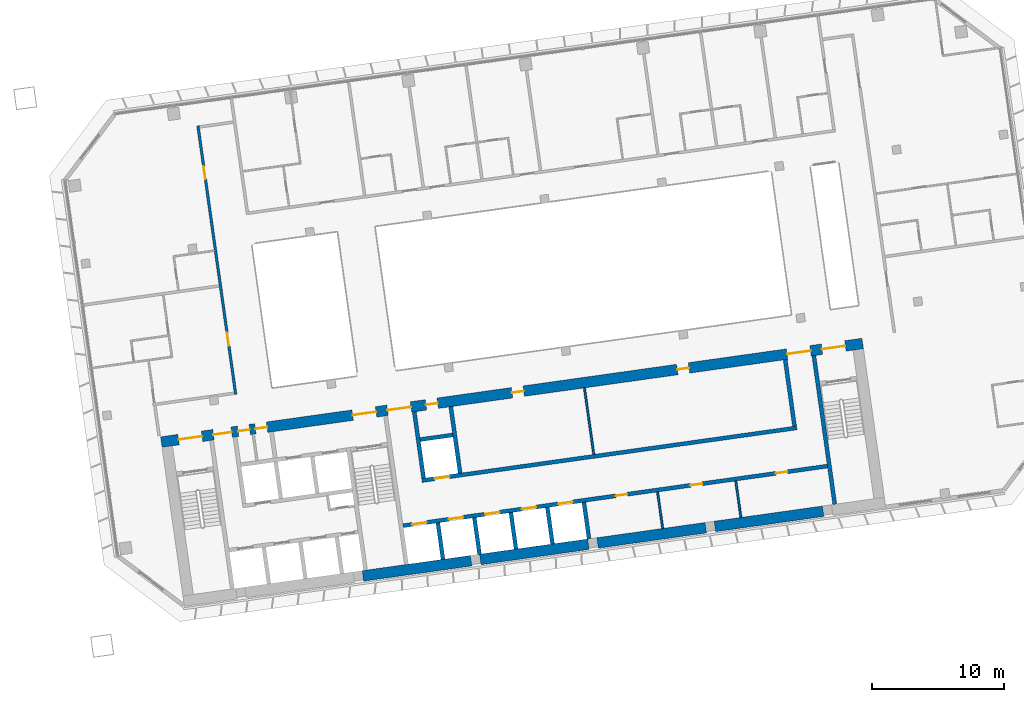
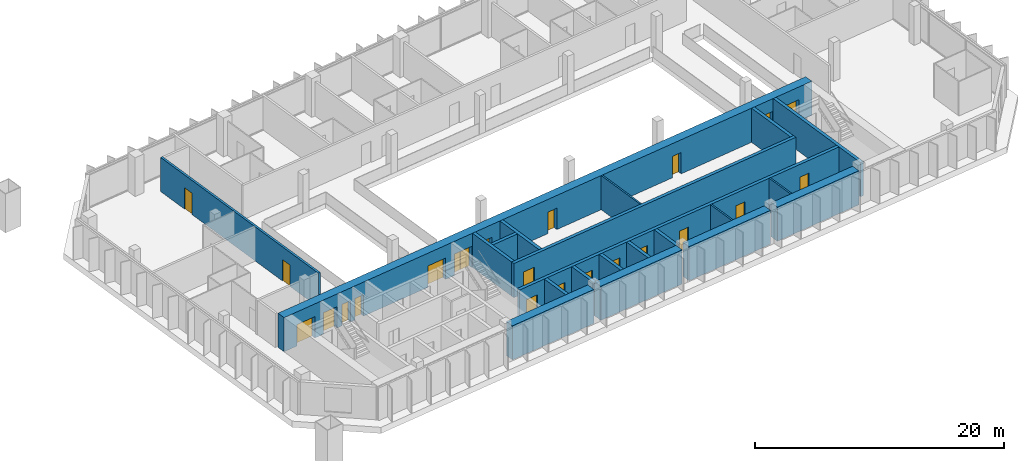
# One storey, part 19 of 25: 22 doors, 21 walls, 22 openings.
"""IFC4 building model written with IfcOpenShell, lengths in metres."""

from ifc_helpers import new_model, si_unit, direction, frame, frame_2d, origin, place, context, subcontext, project, spatial, rectangle, extrude, material, layer, layer_set, type_object, element, fill, save


model = new_model("IFC4")

# Units and contexts
model_context = context("Model", 3, precision=1e-05, world=origin(), true_north=direction((0.0, 1.0)))
body_context = subcontext(model_context, "Body", "Model", "MODEL_VIEW")
ifc_project = project(units=[si_unit("LENGTHUNIT", "METRE"), si_unit("AREAUNIT", "SQUARE_METRE"), si_unit("VOLUMEUNIT", "CUBIC_METRE"), si_unit("PLANEANGLEUNIT", "RADIAN"), si_unit("MASSUNIT", "GRAM", prefix="KILO")], contexts=[model_context])

# Site, building, storey
site_placement = place(None, origin())
site = spatial("IfcSite", under=ifc_project, at=site_placement, CompositionType="ELEMENT")
building_placement = place(site_placement, origin())
building = spatial("IfcBuilding", under=site, at=building_placement, Name="Mirante Cascada Hotel Towers", CompositionType="ELEMENT")
storey_placement = place(building_placement, frame((0.0, 0.0, 136.7)))
storey = spatial("IfcBuildingStorey", under=building, at=storey_placement, Name="L31", CompositionType="ELEMENT", Elevation=136.7)

# Wall, openings, doors
ifc_material_1 = material(Name="Fire-rated plasterboard on metal studs")
ifc_layer_1 = layer(ifc_material_1, 0.2)
ifc_layer_set_1 = layer_set([ifc_layer_1], Name="Compartment wall 200 EI 120")
wall_type_1 = type_object("IfcWallType", Name="Compartment wall 200 EI 120", PredefinedType="PARTITIONING", material=ifc_layer_set_1)
wall_1_placement = place(storey_placement, frame((38.216, 16.4227, 0.0), z_axis=(0.0, 0.0, 1.0), x_axis=(0.1391749, -0.9902678, 0.0)))
wall_1 = element("IfcWall", 1, at=wall_1_placement, inside=storey, type_object=wall_type_1, Name="Wall 2-L31-27", PredefinedType="PARTITIONING", context=body_context, shape_type="SweptSolid", body=[
    extrude(rectangle(XDim=20.6, YDim=0.2, at=frame_2d((10.3, 0.0))), origin(), (0.0, 0.0, 1.0), 3.35),
])
opening_1_placement = place(wall_1_placement, frame((15.8834, 0.0, 0.0)))
opening_1 = element("IfcOpeningElement", 2, at=opening_1_placement, cuts=wall_1, Name="Opening D2-L31-22", PredefinedType="OPENING", context=body_context, shape_type="SweptSolid", body=[
    extrude(rectangle(XDim=1.0, YDim=2.1, at=frame_2d((0.5, 1.05))), frame((0.0, 0.1, 0.0), z_axis=(0.0, -1.0, 0.0), x_axis=(1.0, 0.0, 0.0)), (0.0, 0.0, 1.0), 0.2),
])
opening_2_placement = place(wall_1_placement, frame((3.1, 0.0, 0.0)))
opening_2 = element("IfcOpeningElement", 3, at=opening_2_placement, cuts=wall_1, Name="Opening D2-L31-23", PredefinedType="OPENING", context=body_context, shape_type="SweptSolid", body=[
    extrude(rectangle(XDim=1.0, YDim=2.1, at=frame_2d((0.5, 1.05))), frame((0.0, 0.1, 0.0), z_axis=(0.0, -1.0, 0.0), x_axis=(1.0, 0.0, 0.0)), (0.0, 0.0, 1.0), 0.2),
])
ifc_material_2 = material(Name="Fire-rated timber door leaf", Category="wood")
door_type_1 = type_object("IfcDoorType", Name="Entrance door DG1 1000x2100 EI 60", OperationType="SINGLE_SWING_LEFT", PredefinedType="DOOR", material=ifc_material_2)
door_1_placement = place(opening_1_placement, frame((1.0, 0.0, 0.0), z_axis=(0.0, 0.0, 1.0), x_axis=(-1.0, 0.0, 0.0)))
door_1 = element("IfcDoor", 4, at=door_1_placement, inside=storey, type_object=door_type_1, Name="Door D2-L31-22", OperationType="SINGLE_SWING_RIGHT", OverallHeight=2.1, OverallWidth=1.0, PredefinedType="DOOR", context=body_context, shape_type="SweptSolid", body=[
    extrude(rectangle(XDim=1.0, YDim=2.1, at=frame_2d((0.5, 1.05))), frame((0.0, 0.025, 0.0), z_axis=(0.0, -1.0, 0.0), x_axis=(1.0, 0.0, 0.0)), (0.0, 0.0, 1.0), 0.05),
])
fill(opening_1, door_1)
door_2_placement = place(opening_2_placement, frame((1.0, 0.0, 0.0), z_axis=(0.0, 0.0, 1.0), x_axis=(-1.0, 0.0, 0.0)))
door_2 = element("IfcDoor", 5, at=door_2_placement, inside=storey, type_object=door_type_1, Name="Door D2-L31-23", OperationType="SINGLE_SWING_RIGHT", OverallHeight=2.1, OverallWidth=1.0, PredefinedType="DOOR", context=body_context, shape_type="SweptSolid", body=[
    extrude(rectangle(XDim=1.0, YDim=2.1, at=frame_2d((0.5, 1.05))), frame((0.0, 0.025, 0.0), z_axis=(0.0, -1.0, 0.0), x_axis=(1.0, 0.0, 0.0)), (0.0, 0.0, 1.0), 0.05),
])
fill(opening_2, door_2)

# Walls
ifc_material_3 = material(Name="Masonry block", Category="masonry")
ifc_layer_2 = layer(ifc_material_3, 0.15)
ifc_layer_set_2 = layer_set([ifc_layer_2], Name="Core room partition 150 block EI 30")
wall_type_2 = type_object("IfcWallType", Name="Core room partition 150 block EI 30", PredefinedType="PARTITIONING", material=ifc_layer_set_2)
wall_2_placement = place(storey_placement, frame((73.5161, -14.1621, 0.0), z_axis=(0.0, 0.0, 1.0), x_axis=(-0.139176, 0.9902677, 0.0)))
element("IfcWall", 6, at=wall_2_placement, inside=storey, type_object=wall_type_2, Name="Core wall partition T2 L31 5", PredefinedType="PARTITIONING", context=body_context, shape_type="SweptSolid", body=[
    extrude(rectangle(XDim=2.8001, YDim=0.15, at=frame_2d((1.4, 0.0))), origin(), (0.0, 0.0, 1.0), 3.35),
])
wall_3_placement = place(storey_placement, frame((79.4577, -13.327, 0.0), z_axis=(0.0, 0.0, 1.0), x_axis=(-0.1391459, 0.9902719, 0.0)))
element("IfcWall", 7, at=wall_3_placement, inside=storey, type_object=wall_type_2, Name="Core wall partition T2 L31 6", PredefinedType="PARTITIONING", context=body_context, shape_type="SweptSolid", body=[
    extrude(rectangle(XDim=2.7999, YDim=0.15, at=frame_2d((1.4, 0.0))), origin(), (0.0, 0.0, 1.0), 3.35),
])
wall_4_placement = place(storey_placement, frame((68.2822, -8.5358, 0.0), z_axis=(0.0, 0.0, 1.0), x_axis=(-0.1391755, 0.9902677, 0.0)))
element("IfcWall", 8, at=wall_4_placement, inside=storey, type_object=wall_type_2, Name="Core wall partition T2 L31 7", PredefinedType="PARTITIONING", context=body_context, shape_type="SweptSolid", body=[
    extrude(rectangle(XDim=5.1, YDim=0.15, at=frame_2d((2.55, 0.0))), origin(), (0.0, 0.0, 1.0), 3.35),
])
ifc_material_4 = material(Name="Concrete C50/60", Category="concrete")
ifc_layer_3 = layer(ifc_material_4, 0.3)
ifc_layer_set_3 = layer_set([ifc_layer_3], Name="RC core wall 300 C50/60")
wall_type_3 = type_object("IfcWallType", Name="RC core wall 300 C50/60", PredefinedType="SHEAR", material=ifc_layer_set_3)
wall_5_placement = place(storey_placement, frame((86.5877, -12.325, 0.0), z_axis=(0.0, 0.0, 1.0), x_axis=(-0.1391749, 0.9902678, 0.0)))
element("IfcWall", 9, at=wall_5_placement, inside=storey, type_object=wall_type_3, Name="Core wall T2:L31:8", PredefinedType="SHEAR", context=body_context, shape_type="SweptSolid", body=[
    extrude(rectangle(XDim=11.4, YDim=0.3, at=frame_2d((5.7, 0.0))), origin(), (0.0, 0.0, 1.0), 3.35),
])

# Wall, openings, doors
wall_6_placement = place(storey_placement, frame((53.7953, -13.9547, 0.0), z_axis=(0.0, 0.0, 1.0), x_axis=(0.990268, 0.1391733, 0.0)))
wall_6 = element("IfcWall", 10, at=wall_6_placement, inside=storey, type_object=wall_type_3, Name="Core wall T2:L31:25", PredefinedType="SHEAR", context=body_context, shape_type="SweptSolid", body=[
    extrude(rectangle(XDim=32.5501, YDim=0.3, at=frame_2d((16.275, 0.0))), origin(), (0.0, 0.0, 1.0), 3.35),
])
opening_3_placement = place(wall_6_placement, frame((0.7, 0.0, 0.0)))
opening_3 = element("IfcOpeningElement", 11, at=opening_3_placement, cuts=wall_6, Name="Opening LD", PredefinedType="OPENING", context=body_context, shape_type="SweptSolid", body=[
    extrude(rectangle(XDim=1.1, YDim=2.1, at=frame_2d((0.55, 1.05))), frame((0.0, 0.15, 0.0), z_axis=(0.0, -1.0, 0.0), x_axis=(1.0, 0.0, 0.0)), (0.0, 0.0, 1.0), 0.3),
])
opening_4_placement = place(wall_6_placement, frame((3.5, 0.0, 0.0)))
opening_4 = element("IfcOpeningElement", 12, at=opening_4_placement, cuts=wall_6, Name="Opening LD", PredefinedType="OPENING", context=body_context, shape_type="SweptSolid", body=[
    extrude(rectangle(XDim=1.1, YDim=2.1, at=frame_2d((0.55, 1.05))), frame((0.0, 0.15, 0.0), z_axis=(0.0, -1.0, 0.0), x_axis=(1.0, 0.0, 0.0)), (0.0, 0.0, 1.0), 0.3),
])
opening_5_placement = place(wall_6_placement, frame((6.3, 0.0, 0.0)))
opening_5 = element("IfcOpeningElement", 13, at=opening_5_placement, cuts=wall_6, Name="Opening LD", PredefinedType="OPENING", context=body_context, shape_type="SweptSolid", body=[
    extrude(rectangle(XDim=1.1, YDim=2.1, at=frame_2d((0.55, 1.05))), frame((0.0, 0.15, 0.0), z_axis=(0.0, -1.0, 0.0), x_axis=(1.0, 0.0, 0.0)), (0.0, 0.0, 1.0), 0.3),
])
opening_6_placement = place(wall_6_placement, frame((9.1, 0.0, 0.0)))
opening_6 = element("IfcOpeningElement", 14, at=opening_6_placement, cuts=wall_6, Name="Opening LD", PredefinedType="OPENING", context=body_context, shape_type="SweptSolid", body=[
    extrude(rectangle(XDim=1.1, YDim=2.1, at=frame_2d((0.55, 1.05))), frame((0.0, 0.15, 0.0), z_axis=(0.0, -1.0, 0.0), x_axis=(1.0, 0.0, 0.0)), (0.0, 0.0, 1.0), 0.3),
])
opening_7_placement = place(wall_6_placement, frame((11.9, 0.0, 0.0)))
opening_7 = element("IfcOpeningElement", 15, at=opening_7_placement, cuts=wall_6, Name="Opening LD", PredefinedType="OPENING", context=body_context, shape_type="SweptSolid", body=[
    extrude(rectangle(XDim=1.1, YDim=2.1, at=frame_2d((0.55, 1.05))), frame((0.0, 0.15, 0.0), z_axis=(0.0, -1.0, 0.0), x_axis=(1.0, 0.0, 0.0)), (0.0, 0.0, 1.0), 0.3),
])
opening_8_placement = place(wall_6_placement, frame((16.3, 0.0, 0.0)))
opening_8 = element("IfcOpeningElement", 16, at=opening_8_placement, cuts=wall_6, Name="Opening D2-31-C26", PredefinedType="OPENING", context=body_context, shape_type="SweptSolid", body=[
    extrude(rectangle(XDim=0.9, YDim=2.1, at=frame_2d((0.45, 1.05))), frame((0.0, 0.15, 0.0), z_axis=(0.0, -1.0, 0.0), x_axis=(1.0, 0.0, 0.0)), (0.0, 0.0, 1.0), 0.3),
])
opening_9_placement = place(wall_6_placement, frame((22.05, 0.0, 0.0)))
opening_9 = element("IfcOpeningElement", 17, at=opening_9_placement, cuts=wall_6, Name="Opening D2-31-C27", PredefinedType="OPENING", context=body_context, shape_type="SweptSolid", body=[
    extrude(rectangle(XDim=0.9, YDim=2.1, at=frame_2d((0.45, 1.05))), frame((0.0, 0.15, 0.0), z_axis=(0.0, -1.0, 0.0), x_axis=(1.0, 0.0, 0.0)), (0.0, 0.0, 1.0), 0.3),
])
opening_10_placement = place(wall_6_placement, frame((28.575, 0.0, 0.0)))
opening_10 = element("IfcOpeningElement", 18, at=opening_10_placement, cuts=wall_6, Name="Opening D2-31-C28", PredefinedType="OPENING", context=body_context, shape_type="SweptSolid", body=[
    extrude(rectangle(XDim=0.9, YDim=2.1, at=frame_2d((0.45, 1.05))), frame((0.0, 0.15, 0.0), z_axis=(0.0, -1.0, 0.0), x_axis=(1.0, 0.0, 0.0)), (0.0, 0.0, 1.0), 0.3),
])
ifc_material_5 = material(Name="Hollow metal fire door leaf")
door_type_2 = type_object("IfcDoorType", Name="Fire door 900x2100 FD60", OperationType="NOTDEFINED", PredefinedType="DOOR", material=ifc_material_5)
door_3_placement = place(opening_8_placement, frame((0.9, 0.0, 0.0), z_axis=(0.0, 0.0, 1.0), x_axis=(-1.0, 0.0, 0.0)))
door_3 = element("IfcDoor", 19, at=door_3_placement, inside=storey, type_object=door_type_2, Name="Room door T2 L31 26", OperationType="SINGLE_SWING_LEFT", OverallHeight=2.1, OverallWidth=0.9, PredefinedType="DOOR", context=body_context, shape_type="SweptSolid", body=[
    extrude(rectangle(XDim=0.9, YDim=2.1, at=frame_2d((0.45, 1.05))), frame((0.0, 0.025, 0.0), z_axis=(0.0, -1.0, 0.0), x_axis=(1.0, 0.0, 0.0)), (0.0, 0.0, 1.0), 0.05),
])
fill(opening_8, door_3)
door_4_placement = place(opening_9_placement, frame((0.9, 0.0, 0.0), z_axis=(0.0, 0.0, 1.0), x_axis=(-1.0, 0.0, 0.0)))
door_4 = element("IfcDoor", 20, at=door_4_placement, inside=storey, type_object=door_type_2, Name="Room door T2 L31 27", OperationType="SINGLE_SWING_RIGHT", OverallHeight=2.1, OverallWidth=0.9, PredefinedType="DOOR", context=body_context, shape_type="SweptSolid", body=[
    extrude(rectangle(XDim=0.9, YDim=2.1, at=frame_2d((0.45, 1.05))), frame((0.0, 0.025, 0.0), z_axis=(0.0, -1.0, 0.0), x_axis=(1.0, 0.0, 0.0)), (0.0, 0.0, 1.0), 0.05),
])
fill(opening_9, door_4)
door_5_placement = place(opening_10_placement, frame((0.9, 0.0, 0.0), z_axis=(0.0, 0.0, 1.0), x_axis=(-1.0, 0.0, 0.0)))
door_5 = element("IfcDoor", 21, at=door_5_placement, inside=storey, type_object=door_type_2, Name="Room door T2 L31 28", OperationType="SINGLE_SWING_RIGHT", OverallHeight=2.1, OverallWidth=0.9, PredefinedType="DOOR", context=body_context, shape_type="SweptSolid", body=[
    extrude(rectangle(XDim=0.9, YDim=2.1, at=frame_2d((0.45, 1.05))), frame((0.0, 0.025, 0.0), z_axis=(0.0, -1.0, 0.0), x_axis=(1.0, 0.0, 0.0)), (0.0, 0.0, 1.0), 0.05),
])
fill(opening_10, door_5)
ifc_material_6 = material(Name="Stainless steel", Category="steel")
door_type_3 = type_object("IfcDoorType", Name="Lift landing door 1100x2100 EI 120", OperationType="DOUBLE_DOOR_SLIDING", PredefinedType="DOOR", material=ifc_material_6)
door_6_placement = place(opening_3_placement, origin())
door_6 = element("IfcDoor", 22, at=door_6_placement, inside=storey, type_object=door_type_3, Name="Lift landing door LR2-1 L31", OperationType="DOUBLE_DOOR_SLIDING", OverallHeight=2.1, OverallWidth=1.1, PredefinedType="DOOR", context=body_context, shape_type="SweptSolid", body=[
    extrude(rectangle(XDim=0.545, YDim=2.1, at=frame_2d((0.2725, 1.05))), frame((0.0, 0.025, 0.0), z_axis=(0.0, -1.0, 0.0), x_axis=(1.0, 0.0, 0.0)), (0.0, 0.0, 1.0), 0.05),
    extrude(rectangle(XDim=0.545, YDim=2.1, at=frame_2d((0.8275, 1.05))), frame((0.0, 0.025, 0.0), z_axis=(0.0, -1.0, 0.0), x_axis=(1.0, 0.0, 0.0)), (0.0, 0.0, 1.0), 0.05),
])
fill(opening_3, door_6)
door_7_placement = place(opening_4_placement, origin())
door_7 = element("IfcDoor", 23, at=door_7_placement, inside=storey, type_object=door_type_3, Name="Lift landing door LR2-2 L31", OperationType="DOUBLE_DOOR_SLIDING", OverallHeight=2.1, OverallWidth=1.1, PredefinedType="DOOR", context=body_context, shape_type="SweptSolid", body=[
    extrude(rectangle(XDim=0.545, YDim=2.1, at=frame_2d((0.2725, 1.05))), frame((0.0, 0.025, 0.0), z_axis=(0.0, -1.0, 0.0), x_axis=(1.0, 0.0, 0.0)), (0.0, 0.0, 1.0), 0.05),
    extrude(rectangle(XDim=0.545, YDim=2.1, at=frame_2d((0.8275, 1.05))), frame((0.0, 0.025, 0.0), z_axis=(0.0, -1.0, 0.0), x_axis=(1.0, 0.0, 0.0)), (0.0, 0.0, 1.0), 0.05),
])
fill(opening_4, door_7)
door_8_placement = place(opening_5_placement, origin())
door_8 = element("IfcDoor", 24, at=door_8_placement, inside=storey, type_object=door_type_3, Name="Lift landing door SV2-1 L31", OperationType="DOUBLE_DOOR_SLIDING", OverallHeight=2.1, OverallWidth=1.1, PredefinedType="DOOR", context=body_context, shape_type="SweptSolid", body=[
    extrude(rectangle(XDim=0.545, YDim=2.1, at=frame_2d((0.2725, 1.05))), frame((0.0, 0.025, 0.0), z_axis=(0.0, -1.0, 0.0), x_axis=(1.0, 0.0, 0.0)), (0.0, 0.0, 1.0), 0.05),
    extrude(rectangle(XDim=0.545, YDim=2.1, at=frame_2d((0.8275, 1.05))), frame((0.0, 0.025, 0.0), z_axis=(0.0, -1.0, 0.0), x_axis=(1.0, 0.0, 0.0)), (0.0, 0.0, 1.0), 0.05),
])
fill(opening_5, door_8)
door_9_placement = place(opening_6_placement, origin())
door_9 = element("IfcDoor", 25, at=door_9_placement, inside=storey, type_object=door_type_3, Name="Lift landing door SV2-2 L31", OperationType="DOUBLE_DOOR_SLIDING", OverallHeight=2.1, OverallWidth=1.1, PredefinedType="DOOR", context=body_context, shape_type="SweptSolid", body=[
    extrude(rectangle(XDim=0.545, YDim=2.1, at=frame_2d((0.2725, 1.05))), frame((0.0, 0.025, 0.0), z_axis=(0.0, -1.0, 0.0), x_axis=(1.0, 0.0, 0.0)), (0.0, 0.0, 1.0), 0.05),
    extrude(rectangle(XDim=0.545, YDim=2.1, at=frame_2d((0.8275, 1.05))), frame((0.0, 0.025, 0.0), z_axis=(0.0, -1.0, 0.0), x_axis=(1.0, 0.0, 0.0)), (0.0, 0.0, 1.0), 0.05),
])
fill(opening_6, door_9)
door_10_placement = place(opening_7_placement, origin())
door_10 = element("IfcDoor", 26, at=door_10_placement, inside=storey, type_object=door_type_3, Name="Lift landing door SV2-3 L31", OperationType="DOUBLE_DOOR_SLIDING", OverallHeight=2.1, OverallWidth=1.1, PredefinedType="DOOR", context=body_context, shape_type="SweptSolid", body=[
    extrude(rectangle(XDim=0.545, YDim=2.1, at=frame_2d((0.2725, 1.05))), frame((0.0, 0.025, 0.0), z_axis=(0.0, -1.0, 0.0), x_axis=(1.0, 0.0, 0.0)), (0.0, 0.0, 1.0), 0.05),
    extrude(rectangle(XDim=0.545, YDim=2.1, at=frame_2d((0.8275, 1.05))), frame((0.0, 0.025, 0.0), z_axis=(0.0, -1.0, 0.0), x_axis=(1.0, 0.0, 0.0)), (0.0, 0.0, 1.0), 0.05),
])
fill(opening_7, door_10)

# Walls
for number, where, z_axis, x_axis, name in (
    (27, (56.8301, -16.5072, 0.0), (0.0, 0.0, 1.0), (-0.139176, 0.9902677, 0.0), "Core wall T2:L31:26"),
    (28, (59.6029, -16.1175, 0.0), (0.0, 0.0, 1.0), (-0.139176, 0.9902677, 0.0), "Core wall T2:L31:27"),
    (29, (62.3756, -15.7278, 0.0), (0.0, 0.0, 1.0), (-0.139176, 0.9902677, 0.0), "Core wall T2:L31:28"),
    (30, (65.1484, -15.3381, 0.0), (0.0, 0.0, 1.0), (-0.139176, 0.9902677, 0.0), "Core wall T2:L31:29"),
):
    element("IfcWall", number, at=place(storey_placement, frame(where, z_axis=z_axis, x_axis=x_axis)), inside=storey, type_object=wall_type_3, Name=name, PredefinedType="SHEAR", context=body_context, shape_type="SweptSolid", body=[
        extrude(rectangle(XDim=2.8001, YDim=0.3, at=frame_2d((1.4, 0.0))), origin(), (0.0, 0.0, 1.0), 3.35),
    ])
wall_7_placement = place(storey_placement, frame((67.9211, -14.9484, 0.0), z_axis=(0.0, 0.0, 1.0), x_axis=(-0.139181, 0.990267, 0.0)))
element("IfcWall", 31, at=wall_7_placement, inside=storey, type_object=wall_type_3, Name="Core wall T2:L31:30", PredefinedType="SHEAR", context=body_context, shape_type="SweptSolid", body=[
    extrude(rectangle(XDim=2.8, YDim=0.3, at=frame_2d((1.4, 0.0))), origin(), (0.0, 0.0, 1.0), 3.35),
])

# Wall, opening, door
wall_8_placement = place(storey_placement, frame((55.2315, -10.5214, 0.0), z_axis=(0.0, 0.0, 1.0), x_axis=(0.9902682, 0.1391722, 0.0)))
wall_8 = element("IfcWall", 32, at=wall_8_placement, inside=storey, type_object=wall_type_3, Name="Core wall T2:L31:33", PredefinedType="SHEAR", context=body_context, shape_type="SweptSolid", body=[
    extrude(rectangle(XDim=28.75, YDim=0.3, at=frame_2d((14.375, 0.0))), origin(), (0.0, 0.0, 1.0), 3.35),
])
opening_11_placement = place(wall_8_placement, frame((1.0, 0.0, 0.0)))
opening_11 = element("IfcOpeningElement", 33, at=opening_11_placement, cuts=wall_8, Name="Opening LD", PredefinedType="OPENING", context=body_context, shape_type="SweptSolid", body=[
    extrude(rectangle(XDim=1.1, YDim=2.1, at=frame_2d((0.55, 1.05))), frame((0.0, 0.15, 0.0), z_axis=(0.0, -1.0, 0.0), x_axis=(1.0, 0.0, 0.0)), (0.0, 0.0, 1.0), 0.3),
])
door_11_placement = place(opening_11_placement, origin())
door_11 = element("IfcDoor", 34, at=door_11_placement, inside=storey, type_object=door_type_3, Name="Lift landing door LR2-3 L31", OperationType="DOUBLE_DOOR_SLIDING", OverallHeight=2.1, OverallWidth=1.1, PredefinedType="DOOR", context=body_context, shape_type="SweptSolid", body=[
    extrude(rectangle(XDim=0.545, YDim=2.1, at=frame_2d((0.2725, 1.05))), frame((0.0, 0.025, 0.0), z_axis=(0.0, -1.0, 0.0), x_axis=(1.0, 0.0, 0.0)), (0.0, 0.0, 1.0), 0.05),
    extrude(rectangle(XDim=0.545, YDim=2.1, at=frame_2d((0.8275, 1.05))), frame((0.0, 0.025, 0.0), z_axis=(0.0, -1.0, 0.0), x_axis=(1.0, 0.0, 0.0)), (0.0, 0.0, 1.0), 0.05),
])
fill(opening_11, door_11)

# Walls
for number, where, z_axis, x_axis, name in (
    (35, (55.3592, -10.352, 0.0), (0.0, 0.0, 1.0), (-0.1391755, 0.9902677, 0.0), "Core wall T2:L31:34"),
    (36, (83.5323, -6.3925, 0.0), (0.0, 0.0, 1.0), (-0.1391755, 0.9902677, 0.0), "Core wall T2:L31:35"),
    (37, (58.1319, -9.9623, 0.0), (0.0, 0.0, 1.0), (-0.1391755, 0.9902677, 0.0), "Core wall T2:L31:36"),
):
    element("IfcWall", number, at=place(storey_placement, frame(where, z_axis=z_axis, x_axis=x_axis)), inside=storey, type_object=wall_type_3, Name=name, PredefinedType="SHEAR", context=body_context, shape_type="SweptSolid", body=[
        extrude(rectangle(XDim=5.1, YDim=0.3, at=frame_2d((2.55, 0.0))), origin(), (0.0, 0.0, 1.0), 3.35),
    ])
wall_9_placement = place(storey_placement, frame((55.0971, -7.4098, 0.0), z_axis=(0.0, 0.0, 1.0), x_axis=(0.9902701, 0.1391586, 0.0)))
element("IfcWall", 38, at=wall_9_placement, inside=storey, type_object=wall_type_3, Name="Core wall T2:L31:37", PredefinedType="SHEAR", context=body_context, shape_type="SweptSolid", body=[
    extrude(rectangle(XDim=2.5, YDim=0.3, at=frame_2d((1.25, 0.0))), origin(), (0.0, 0.0, 1.0), 3.35),
])
ifc_material_7 = material(Name="Concrete C50/60", Category="concrete")
ifc_layer_4 = layer(ifc_material_7, 0.8)
ifc_layer_set_4 = layer_set([ifc_layer_4], Name="RC core wall 800 C50/60")
wall_type_4 = type_object("IfcWallType", Name="RC core wall 800 C50/60", PredefinedType="SHEAR", material=ifc_layer_set_4)
wall_10_placement = place(storey_placement, frame((50.7461, -17.7661, 0.0), z_axis=(0.0, 0.0, 1.0), x_axis=(0.9902686, 0.1391692, 0.0)))
element("IfcWall", 39, at=wall_10_placement, inside=storey, type_object=wall_type_4, Name="Core wall T2:L31:1.3", PredefinedType="SHEAR", context=body_context, shape_type="SweptSolid", body=[
    extrude(rectangle(XDim=8.3, YDim=0.8, at=frame_2d((4.15, 0.0))), origin(), (0.0, 0.0, 1.0), 3.35),
])
for number, where, z_axis, x_axis, name in (
    (40, (59.6585, -16.5136, 0.0), (0.0, 0.0, 1.0), (0.9902672, 0.1391793, 0.0), "Core wall T2:L31:1.4"),
    (41, (68.5709, -15.261, 0.0), (0.0, 0.0, 1.0), (0.9902689, 0.1391675, 0.0), "Core wall T2:L31:1.5"),
):
    element("IfcWall", number, at=place(storey_placement, frame(where, z_axis=z_axis, x_axis=x_axis)), inside=storey, type_object=wall_type_4, Name=name, PredefinedType="SHEAR", context=body_context, shape_type="SweptSolid", body=[
        extrude(rectangle(XDim=8.3001, YDim=0.8, at=frame_2d((4.15, 0.0))), origin(), (0.0, 0.0, 1.0), 3.35),
    ])
wall_11_placement = place(storey_placement, frame((77.4834, -14.0085, 0.0), z_axis=(0.0, 0.0, 1.0), x_axis=(0.990267, 0.139181, 0.0)))
element("IfcWall", 42, at=wall_11_placement, inside=storey, type_object=wall_type_4, Name="Core wall T2:L31:1.6", PredefinedType="SHEAR", context=body_context, shape_type="SweptSolid", body=[
    extrude(rectangle(XDim=8.3, YDim=0.8, at=frame_2d((4.15, 0.0))), origin(), (0.0, 0.0, 1.0), 3.35),
])

# Wall, openings, doors
wall_12_placement = place(storey_placement, frame((35.432, -7.5985, 0.0), z_axis=(0.0, 0.0, 1.0), x_axis=(0.9902681, 0.1391729, 0.0)))
wall_12 = element("IfcWall", 43, at=wall_12_placement, inside=storey, type_object=wall_type_4, Name="Core wall T2:L31:2", PredefinedType="SHEAR", context=body_context, shape_type="SweptSolid", body=[
    extrude(rectangle(XDim=53.8, YDim=0.8, at=frame_2d((26.9, 0.0))), origin(), (0.0, 0.0, 1.0), 3.35),
])
opening_12_placement = place(wall_12_placement, frame((1.325, 0.0, 0.0)))
opening_12 = element("IfcOpeningElement", 44, at=opening_12_placement, cuts=wall_12, Name="Opening D2-31-C14", PredefinedType="OPENING", context=body_context, shape_type="SweptSolid", body=[
    extrude(rectangle(XDim=1.8, YDim=2.1, at=frame_2d((0.9, 1.05))), frame((0.0, 0.4, 0.0), z_axis=(0.0, -1.0, 0.0), x_axis=(1.0, 0.0, 0.0)), (0.0, 0.0, 1.0), 0.8),
])
opening_13_placement = place(wall_12_placement, frame((14.675, 0.0, 0.0)))
opening_13 = element("IfcOpeningElement", 45, at=opening_13_placement, cuts=wall_12, Name="Opening D2-31-C16", PredefinedType="OPENING", context=body_context, shape_type="SweptSolid", body=[
    extrude(rectangle(XDim=1.8, YDim=2.1, at=frame_2d((0.9, 1.05))), frame((0.0, 0.4, 0.0), z_axis=(0.0, -1.0, 0.0), x_axis=(1.0, 0.0, 0.0)), (0.0, 0.0, 1.0), 0.8),
])
opening_14_placement = place(wall_12_placement, frame((50.675, 0.0, 0.0)))
opening_14 = element("IfcOpeningElement", 46, at=opening_14_placement, cuts=wall_12, Name="Opening D2-31-C18", PredefinedType="OPENING", context=body_context, shape_type="SweptSolid", body=[
    extrude(rectangle(XDim=1.8, YDim=2.1, at=frame_2d((0.9, 1.05))), frame((0.0, 0.4, 0.0), z_axis=(0.0, -1.0, 0.0), x_axis=(1.0, 0.0, 0.0)), (0.0, 0.0, 1.0), 0.8),
])
opening_15_placement = place(wall_12_placement, frame((4.0, 0.0, 0.0)))
opening_15 = element("IfcOpeningElement", 47, at=opening_15_placement, cuts=wall_12, Name="Opening D2-31-C19", PredefinedType="OPENING", context=body_context, shape_type="SweptSolid", body=[
    extrude(rectangle(XDim=1.4, YDim=2.1, at=frame_2d((0.7, 1.05))), frame((0.0, 0.4, 0.0), z_axis=(0.0, -1.0, 0.0), x_axis=(1.0, 0.0, 0.0)), (0.0, 0.0, 1.0), 0.8),
])
opening_16_placement = place(wall_12_placement, frame((17.35, 0.0, 0.0)))
opening_16 = element("IfcOpeningElement", 48, at=opening_16_placement, cuts=wall_12, Name="Opening D2-31-C20", PredefinedType="OPENING", context=body_context, shape_type="SweptSolid", body=[
    extrude(rectangle(XDim=1.8, YDim=2.1, at=frame_2d((0.9, 1.05))), frame((0.0, 0.4, 0.0), z_axis=(0.0, -1.0, 0.0), x_axis=(1.0, 0.0, 0.0)), (0.0, 0.0, 1.0), 0.8),
])
opening_17_placement = place(wall_12_placement, frame((48.0, 0.0, 0.0)))
opening_17 = element("IfcOpeningElement", 49, at=opening_17_placement, cuts=wall_12, Name="Opening D2-31-C21", PredefinedType="OPENING", context=body_context, shape_type="SweptSolid", body=[
    extrude(rectangle(XDim=1.8, YDim=2.1, at=frame_2d((0.9, 1.05))), frame((0.0, 0.4, 0.0), z_axis=(0.0, -1.0, 0.0), x_axis=(1.0, 0.0, 0.0)), (0.0, 0.0, 1.0), 0.8),
])
opening_18_placement = place(wall_12_placement, frame((5.8875, 0.0, 0.0)))
opening_18 = element("IfcOpeningElement", 50, at=opening_18_placement, cuts=wall_12, Name="Opening D2-31-C24", PredefinedType="OPENING", context=body_context, shape_type="SweptSolid", body=[
    extrude(rectangle(XDim=0.9, YDim=2.1, at=frame_2d((0.45, 1.05))), frame((0.0, 0.4, 0.0), z_axis=(0.0, -1.0, 0.0), x_axis=(1.0, 0.0, 0.0)), (0.0, 0.0, 1.0), 0.8),
])
opening_19_placement = place(wall_12_placement, frame((7.2125, 0.0, 0.0)))
opening_19 = element("IfcOpeningElement", 51, at=opening_19_placement, cuts=wall_12, Name="Opening D2-31-C25", PredefinedType="OPENING", context=body_context, shape_type="SweptSolid", body=[
    extrude(rectangle(XDim=0.9, YDim=2.1, at=frame_2d((0.45, 1.05))), frame((0.0, 0.4, 0.0), z_axis=(0.0, -1.0, 0.0), x_axis=(1.0, 0.0, 0.0)), (0.0, 0.0, 1.0), 0.8),
])
opening_20_placement = place(wall_12_placement, frame((20.3, 0.0, 0.0)))
opening_20 = element("IfcOpeningElement", 52, at=opening_20_placement, cuts=wall_12, Name="Opening D2-31-C29", PredefinedType="OPENING", context=body_context, shape_type="SweptSolid", body=[
    extrude(rectangle(XDim=0.9, YDim=2.1, at=frame_2d((0.45, 1.05))), frame((0.0, 0.4, 0.0), z_axis=(0.0, -1.0, 0.0), x_axis=(1.0, 0.0, 0.0)), (0.0, 0.0, 1.0), 0.8),
])
opening_21_placement = place(wall_12_placement, frame((26.9, 0.0, 0.0)))
opening_21 = element("IfcOpeningElement", 53, at=opening_21_placement, cuts=wall_12, Name="Opening D2-31-C30", PredefinedType="OPENING", context=body_context, shape_type="SweptSolid", body=[
    extrude(rectangle(XDim=0.9, YDim=2.1, at=frame_2d((0.45, 1.05))), frame((0.0, 0.4, 0.0), z_axis=(0.0, -1.0, 0.0), x_axis=(1.0, 0.0, 0.0)), (0.0, 0.0, 1.0), 0.8),
])
opening_22_placement = place(wall_12_placement, frame((39.575, 0.0, 0.0)))
opening_22 = element("IfcOpeningElement", 54, at=opening_22_placement, cuts=wall_12, Name="Opening D2-31-C31", PredefinedType="OPENING", context=body_context, shape_type="SweptSolid", body=[
    extrude(rectangle(XDim=0.9, YDim=2.1, at=frame_2d((0.45, 1.05))), frame((0.0, 0.4, 0.0), z_axis=(0.0, -1.0, 0.0), x_axis=(1.0, 0.0, 0.0)), (0.0, 0.0, 1.0), 0.8),
])
ifc_material_8 = material(Name="Hollow metal fire door leaf")
door_type_4 = type_object("IfcDoorType", Name="Double fire door 1400x2100 FD60", OperationType="DOUBLE_DOOR_SINGLE_SWING", PredefinedType="DOOR", material=ifc_material_8)
door_12_placement = place(opening_15_placement, origin())
door_12 = element("IfcDoor", 55, at=door_12_placement, inside=storey, type_object=door_type_4, Name="Exit door to gallery T2 L31 19", OperationType="DOUBLE_DOOR_SINGLE_SWING", OverallHeight=2.1, OverallWidth=1.4, PredefinedType="DOOR", context=body_context, shape_type="SweptSolid", body=[
    extrude(rectangle(XDim=0.695, YDim=2.1, at=frame_2d((0.3475, 1.05))), frame((0.0, 0.025, 0.0), z_axis=(0.0, -1.0, 0.0), x_axis=(1.0, 0.0, 0.0)), (0.0, 0.0, 1.0), 0.05),
    extrude(rectangle(XDim=0.695, YDim=2.1, at=frame_2d((1.0525, 1.05))), frame((0.0, 0.025, 0.0), z_axis=(0.0, -1.0, 0.0), x_axis=(1.0, 0.0, 0.0)), (0.0, 0.0, 1.0), 0.05),
])
fill(opening_15, door_12)
ifc_material_9 = material(Name="Hollow metal fire door leaf")
door_type_5 = type_object("IfcDoorType", Name="Double fire door 1800x2100 FD60", OperationType="DOUBLE_DOOR_SINGLE_SWING", PredefinedType="DOOR", material=ifc_material_9)
door_13_placement = place(opening_12_placement, frame((1.8, 0.0, 0.0), z_axis=(0.0, 0.0, 1.0), x_axis=(-1.0, 0.0, 0.0)))
door_13 = element("IfcDoor", 56, at=door_13_placement, inside=storey, type_object=door_type_5, Name="Exit door to gallery T2 L31 14", OperationType="DOUBLE_DOOR_SINGLE_SWING", OverallHeight=2.1, OverallWidth=1.8, PredefinedType="DOOR", context=body_context, shape_type="SweptSolid", body=[
    extrude(rectangle(XDim=0.895, YDim=2.1, at=frame_2d((0.4475, 1.05))), frame((0.0, 0.025, 0.0), z_axis=(0.0, -1.0, 0.0), x_axis=(1.0, 0.0, 0.0)), (0.0, 0.0, 1.0), 0.05),
    extrude(rectangle(XDim=0.895, YDim=2.1, at=frame_2d((1.3525, 1.05))), frame((0.0, 0.025, 0.0), z_axis=(0.0, -1.0, 0.0), x_axis=(1.0, 0.0, 0.0)), (0.0, 0.0, 1.0), 0.05),
])
fill(opening_12, door_13)
door_14_placement = place(opening_13_placement, frame((1.8, 0.0, 0.0), z_axis=(0.0, 0.0, 1.0), x_axis=(-1.0, 0.0, 0.0)))
door_14 = element("IfcDoor", 57, at=door_14_placement, inside=storey, type_object=door_type_5, Name="Exit door to gallery T2 L31 16", OperationType="DOUBLE_DOOR_SINGLE_SWING", OverallHeight=2.1, OverallWidth=1.8, PredefinedType="DOOR", context=body_context, shape_type="SweptSolid", body=[
    extrude(rectangle(XDim=0.895, YDim=2.1, at=frame_2d((0.4475, 1.05))), frame((0.0, 0.025, 0.0), z_axis=(0.0, -1.0, 0.0), x_axis=(1.0, 0.0, 0.0)), (0.0, 0.0, 1.0), 0.05),
    extrude(rectangle(XDim=0.895, YDim=2.1, at=frame_2d((1.3525, 1.05))), frame((0.0, 0.025, 0.0), z_axis=(0.0, -1.0, 0.0), x_axis=(1.0, 0.0, 0.0)), (0.0, 0.0, 1.0), 0.05),
])
fill(opening_13, door_14)
door_15_placement = place(opening_14_placement, frame((1.8, 0.0, 0.0), z_axis=(0.0, 0.0, 1.0), x_axis=(-1.0, 0.0, 0.0)))
door_15 = element("IfcDoor", 58, at=door_15_placement, inside=storey, type_object=door_type_5, Name="Exit door to gallery T2 L31 18", OperationType="DOUBLE_DOOR_SINGLE_SWING", OverallHeight=2.1, OverallWidth=1.8, PredefinedType="DOOR", context=body_context, shape_type="SweptSolid", body=[
    extrude(rectangle(XDim=0.895, YDim=2.1, at=frame_2d((0.4475, 1.05))), frame((0.0, 0.025, 0.0), z_axis=(0.0, -1.0, 0.0), x_axis=(1.0, 0.0, 0.0)), (0.0, 0.0, 1.0), 0.05),
    extrude(rectangle(XDim=0.895, YDim=2.1, at=frame_2d((1.3525, 1.05))), frame((0.0, 0.025, 0.0), z_axis=(0.0, -1.0, 0.0), x_axis=(1.0, 0.0, 0.0)), (0.0, 0.0, 1.0), 0.05),
])
fill(opening_14, door_15)
door_16_placement = place(opening_16_placement, origin())
door_16 = element("IfcDoor", 59, at=door_16_placement, inside=storey, type_object=door_type_5, Name="Exit door to gallery T2 L31 20", OperationType="DOUBLE_DOOR_SINGLE_SWING", OverallHeight=2.1, OverallWidth=1.8, PredefinedType="DOOR", context=body_context, shape_type="SweptSolid", body=[
    extrude(rectangle(XDim=0.895, YDim=2.1, at=frame_2d((0.4475, 1.05))), frame((0.0, 0.025, 0.0), z_axis=(0.0, -1.0, 0.0), x_axis=(1.0, 0.0, 0.0)), (0.0, 0.0, 1.0), 0.05),
    extrude(rectangle(XDim=0.895, YDim=2.1, at=frame_2d((1.3525, 1.05))), frame((0.0, 0.025, 0.0), z_axis=(0.0, -1.0, 0.0), x_axis=(1.0, 0.0, 0.0)), (0.0, 0.0, 1.0), 0.05),
])
fill(opening_16, door_16)
door_17_placement = place(opening_17_placement, origin())
door_17 = element("IfcDoor", 60, at=door_17_placement, inside=storey, type_object=door_type_5, Name="Exit door to gallery T2 L31 21", OperationType="DOUBLE_DOOR_SINGLE_SWING", OverallHeight=2.1, OverallWidth=1.8, PredefinedType="DOOR", context=body_context, shape_type="SweptSolid", body=[
    extrude(rectangle(XDim=0.895, YDim=2.1, at=frame_2d((0.4475, 1.05))), frame((0.0, 0.025, 0.0), z_axis=(0.0, -1.0, 0.0), x_axis=(1.0, 0.0, 0.0)), (0.0, 0.0, 1.0), 0.05),
    extrude(rectangle(XDim=0.895, YDim=2.1, at=frame_2d((1.3525, 1.05))), frame((0.0, 0.025, 0.0), z_axis=(0.0, -1.0, 0.0), x_axis=(1.0, 0.0, 0.0)), (0.0, 0.0, 1.0), 0.05),
])
fill(opening_17, door_17)
door_18_placement = place(opening_18_placement, frame((0.9, 0.0, 0.0), z_axis=(0.0, 0.0, 1.0), x_axis=(-1.0, 0.0, 0.0)))
door_18 = element("IfcDoor", 61, at=door_18_placement, inside=storey, type_object=door_type_2, Name="Room door T2 L31 24", OperationType="SINGLE_SWING_LEFT", OverallHeight=2.1, OverallWidth=0.9, PredefinedType="DOOR", context=body_context, shape_type="SweptSolid", body=[
    extrude(rectangle(XDim=0.9, YDim=2.1, at=frame_2d((0.45, 1.05))), frame((0.0, 0.025, 0.0), z_axis=(0.0, -1.0, 0.0), x_axis=(1.0, 0.0, 0.0)), (0.0, 0.0, 1.0), 0.05),
])
fill(opening_18, door_18)
door_19_placement = place(opening_19_placement, frame((0.9, 0.0, 0.0), z_axis=(0.0, 0.0, 1.0), x_axis=(-1.0, 0.0, 0.0)))
door_19 = element("IfcDoor", 62, at=door_19_placement, inside=storey, type_object=door_type_2, Name="Room door T2 L31 25", OperationType="SINGLE_SWING_LEFT", OverallHeight=2.1, OverallWidth=0.9, PredefinedType="DOOR", context=body_context, shape_type="SweptSolid", body=[
    extrude(rectangle(XDim=0.9, YDim=2.1, at=frame_2d((0.45, 1.05))), frame((0.0, 0.025, 0.0), z_axis=(0.0, -1.0, 0.0), x_axis=(1.0, 0.0, 0.0)), (0.0, 0.0, 1.0), 0.05),
])
fill(opening_19, door_19)
door_20_placement = place(opening_20_placement, frame((0.9, 0.0, 0.0), z_axis=(0.0, 0.0, 1.0), x_axis=(-1.0, 0.0, 0.0)))
door_20 = element("IfcDoor", 63, at=door_20_placement, inside=storey, type_object=door_type_2, Name="Room door T2 L31 29", OperationType="SINGLE_SWING_LEFT", OverallHeight=2.1, OverallWidth=0.9, PredefinedType="DOOR", context=body_context, shape_type="SweptSolid", body=[
    extrude(rectangle(XDim=0.9, YDim=2.1, at=frame_2d((0.45, 1.05))), frame((0.0, 0.025, 0.0), z_axis=(0.0, -1.0, 0.0), x_axis=(1.0, 0.0, 0.0)), (0.0, 0.0, 1.0), 0.05),
])
fill(opening_20, door_20)
door_21_placement = place(opening_21_placement, frame((0.9, 0.0, 0.0), z_axis=(0.0, 0.0, 1.0), x_axis=(-1.0, 0.0, 0.0)))
door_21 = element("IfcDoor", 64, at=door_21_placement, inside=storey, type_object=door_type_2, Name="Room door T2 L31 30", OperationType="SINGLE_SWING_LEFT", OverallHeight=2.1, OverallWidth=0.9, PredefinedType="DOOR", context=body_context, shape_type="SweptSolid", body=[
    extrude(rectangle(XDim=0.9, YDim=2.1, at=frame_2d((0.45, 1.05))), frame((0.0, 0.025, 0.0), z_axis=(0.0, -1.0, 0.0), x_axis=(1.0, 0.0, 0.0)), (0.0, 0.0, 1.0), 0.05),
])
fill(opening_21, door_21)
door_22_placement = place(opening_22_placement, frame((0.9, 0.0, 0.0), z_axis=(0.0, 0.0, 1.0), x_axis=(-1.0, 0.0, 0.0)))
door_22 = element("IfcDoor", 65, at=door_22_placement, inside=storey, type_object=door_type_2, Name="Room door T2 L31 31", OperationType="SINGLE_SWING_RIGHT", OverallHeight=2.1, OverallWidth=0.9, PredefinedType="DOOR", context=body_context, shape_type="SweptSolid", body=[
    extrude(rectangle(XDim=0.9, YDim=2.1, at=frame_2d((0.45, 1.05))), frame((0.0, 0.025, 0.0), z_axis=(0.0, -1.0, 0.0), x_axis=(1.0, 0.0, 0.0)), (0.0, 0.0, 1.0), 0.05),
])
fill(opening_22, door_22)

save(model, "model.ifc")
